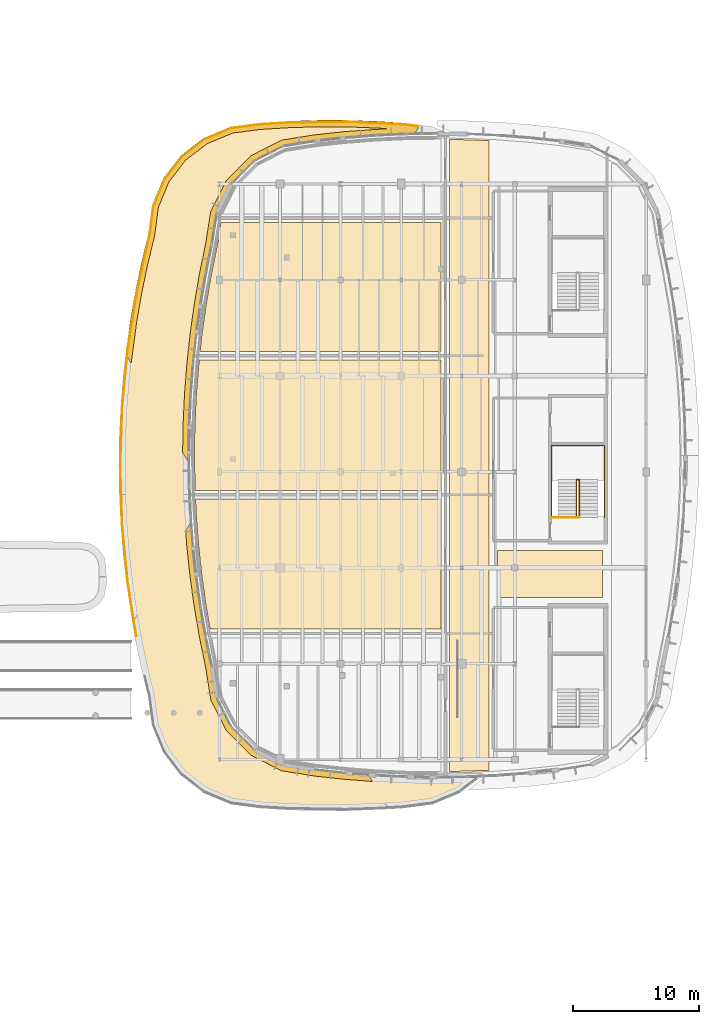
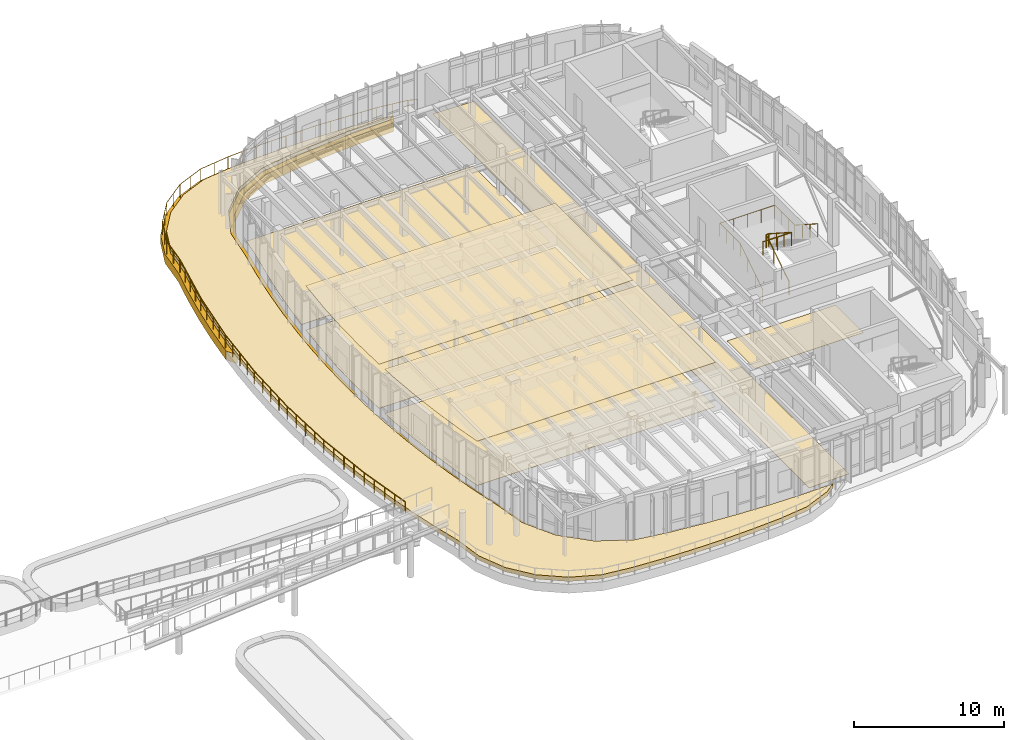
# One storey, part 109 of 111: 10 coverings, 4 railings.
"""IFC4 building model written with IfcOpenShell, lengths in metres."""

from ifc_helpers import new_model, si_unit, direction, frame, origin, origin_2d, place, context, subcontext, project, spatial, polyline, circle, outline, extrude, material, layer, layer_set, type_object, element, save


model = new_model("IFC4")

# Units and contexts
model_context = context("Model", 3, precision=1e-05, world=origin(), true_north=direction((0.0, 1.0)))
body_context = subcontext(model_context, "Body", "Model", "MODEL_VIEW")
ifc_project = project(units=[si_unit("LENGTHUNIT", "METRE"), si_unit("AREAUNIT", "SQUARE_METRE"), si_unit("VOLUMEUNIT", "CUBIC_METRE"), si_unit("PLANEANGLEUNIT", "RADIAN"), si_unit("MASSUNIT", "GRAM", prefix="KILO")], contexts=[model_context])

# Site, building, storey
site_placement = place(None, origin())
site = spatial("IfcSite", under=ifc_project, at=site_placement, CompositionType="ELEMENT")
building_placement = place(site_placement, origin())
building = spatial("IfcBuilding", under=site, at=building_placement, Name="Corveleigh Park Community Centre", CompositionType="ELEMENT")
storey_placement = place(building_placement, frame((0.0, 0.0, 4.800048828125)))
storey = spatial("IfcBuildingStorey", under=building, at=storey_placement, Name="L01", CompositionType="ELEMENT", Elevation=4.800048828125)

# Coverings
ifc_material_1 = material(Name="White architectural fascia cladding", Category="masonry")
ifc_layer_1 = layer(ifc_material_1, 0.074951171875, Name="White architectural fascia cladding", Category="masonry")
ifc_layer_set_1 = layer_set([ifc_layer_1], Name="White architectural fascia cladding")
covering_type_1 = type_object("IfcCoveringType", Name="COV-CLD-WHT", PredefinedType="CLADDING", material=ifc_layer_set_1)
covering_1_placement = place(storey_placement, frame((0.0, 0.0, -0.679931640625)))
element("IfcCovering", 1, at=covering_1_placement, inside=storey, type_object=covering_type_1, Name="Step 1 Learning Garden Terrace Sweeping White Edge Band 2", PredefinedType="CLADDING", context=body_context, shape_type="SweptSolid", body=[
    extrude(outline(polyline([(127.175048828125, 90.760009765625), (127.544921875, 93.4189453125), (127.945068359375, 95.697021484375), (128.4169921875, 97.9609375), (128.9609375, 100.20703125), (129.262939453125, 102.492919921875), (130.14697265625, 104.6240234375), (131.544921875, 106.447021484375), (133.3759765625, 107.85302734375), (135.51708984375, 108.739990234375), (137.794921875, 109.0400390625), (140.075927734375, 109.179931640625), (142.35791015625, 109.2509765625), (144.64208984375, 109.2509765625), (146.924072265625, 109.179931640625), (149.201904296875, 109.0400390625), (150.468017578125, 108.873046875), (150.0439453125, 108.138916015625), (147.01708984375, 108.02197265625), (144.60693359375, 107.8359375), (142.202880859375, 107.574951171875), (139.675048828125, 107.174072265625), (137.39599609375, 106.013916015625), (135.5869140625, 104.205078125), (134.426025390625, 101.925048828125), (134.02490234375, 99.39697265625), (133.54296875, 97.0400390625), (133.135986328125, 94.672119140625), (132.802001953125, 92.2900390625), (132.5419921875, 89.89990234375), (132.35595703125, 87.5048828125), (132.243896484375, 85.10400390625), (132.218017578125, 82.01708984375), (131.68994140625, 82.930908203125), (131.72509765625, 85.126953125), (131.8369140625, 87.5439453125), (132.02490234375, 89.9560546875), (132.287109375, 92.362060546875), (132.623046875, 94.759033203125), (133.031005859375, 97.1279296875), (133.512939453125, 99.489013671875), (133.9130859375, 102.012939453125), (135.1259765625, 104.447021484375), (137.090087890625, 106.43505859375), (139.513916015625, 107.669921875), (142.123046875, 108.089111328125), (144.551025390625, 108.35302734375), (148.04296875, 108.590087890625), (144.634033203125, 108.73095703125), (142.365966796875, 108.73095703125), (140.10009765625, 108.659912109375), (137.845947265625, 108.52197265625), (135.64697265625, 108.23193359375), (133.64208984375, 107.402099609375), (131.9189453125, 106.0810546875), (130.597900390625, 104.35791015625), (129.76806640625, 102.35302734375), (129.467041015625, 100.0869140625), (128.924072265625, 97.847900390625), (128.455078125, 95.597900390625), (128.05810546875, 93.3359375), (127.614013671875, 90.0), (127.175048828125, 90.760009765625)])), origin(), (0.0, 0.0, 1.0), 0.719970703125),
])
covering_2_placement = place(storey_placement, frame((0.0, 0.0, -0.679931640625)))
element("IfcCovering", 2, at=covering_2_placement, inside=storey, type_object=covering_type_1, Name="Step 1 Learning Garden Terrace Sweeping White Edge Band 8", PredefinedType="CLADDING", context=body_context, shape_type="SweptSolid", body=[
    extrude(outline(polyline([(132.5419921875, 75.5), (132.802001953125, 73.110107421875), (133.135986328125, 70.72900390625), (133.54296875, 68.360107421875), (134.02490234375, 66.0029296875), (134.426025390625, 63.47509765625), (135.5869140625, 61.195068359375), (137.39599609375, 59.385986328125), (139.677001953125, 58.22509765625), (142.202880859375, 57.824951171875), (144.60693359375, 57.56396484375), (146.39892578125, 57.426025390625), (146.714111328125, 56.8798828125), (144.551025390625, 57.047119140625), (142.14599609375, 57.30810546875), (139.51611328125, 57.72900390625), (137.090087890625, 58.965087890625), (135.166015625, 60.888916015625), (133.929931640625, 63.31396484375), (133.512939453125, 65.910888671875), (133.031005859375, 68.27197265625), (132.623046875, 70.64208984375), (132.284912109375, 73.052978515625), (132.02490234375, 75.444091796875), (131.926025390625, 76.718994140625), (132.385009765625, 77.51708984375), (132.5419921875, 75.5)])), origin(), (0.0, 0.0, 1.0), 0.719970703125),
])
ifc_material_2 = material(Name="Perforated acoustic suspended ceiling", Category="gypsum")
ifc_layer_2 = layer(ifc_material_2, 0.0400390625, Name="Perforated acoustic suspended ceiling", Category="gypsum")
ifc_layer_set_2 = layer_set([ifc_layer_2], Name="Perforated acoustic suspended ceiling")
covering_type_2 = type_object("IfcCoveringType", Name="COV-CLG-ACU", PredefinedType="CEILING", material=ifc_layer_set_2)
covering_3_placement = place(storey_placement, frame((0.0, 0.0, 3.579833984375)))
element("IfcCovering", 3, at=covering_3_placement, inside=storey, type_object=covering_type_2, Name="Adult Learning Classroom 2 acoustic ceiling", PredefinedType="CEILING", context=body_context, shape_type="SweptSolid", body=[
    extrude(outline(polyline([(132.77001953125, 77.9208984375), (132.7080078125, 79.260009765625), (152.159912109375, 79.260009765625), (152.159912109375, 68.93994140625), (133.864990234375, 68.93994140625), (133.5458984375, 70.79296875), (133.214111328125, 73.160888671875), (132.955078125, 75.5380859375), (132.77001953125, 77.9208984375)])), origin(), (0.0, 0.0, 1.0), 0.0400390625),
])
covering_4_placement = place(storey_placement, frame((0.0, 0.0, 3.579833984375)))
element("IfcCovering", 4, at=covering_4_placement, inside=storey, type_object=covering_type_2, Name="Digital Inclusion Classroom 3 acoustic ceiling", PredefinedType="CEILING", context=body_context, shape_type="SweptSolid", body=[
    extrude(outline(polyline([(132.658935546875, 85.090087890625), (132.77001953125, 87.47900390625), (132.998046875, 90.260009765625), (152.159912109375, 90.260009765625), (152.159912109375, 79.93994140625), (132.676025390625, 79.93994140625), (132.6220703125, 82.699951171875), (132.658935546875, 85.090087890625)])), origin(), (0.0, 0.0, 1.0), 0.0400390625),
])
ifc_material_3 = material(Name="Acoustic linoleum flooring", Category="wood")
ifc_layer_3 = layer(ifc_material_3, 0.02490234375, Name="Acoustic linoleum flooring", Category="wood")
ifc_layer_set_3 = layer_set([ifc_layer_3], Name="Acoustic linoleum flooring")
covering_type_3 = type_object("IfcCoveringType", Name="COV-FLR-LIN", PredefinedType="FLOORING", material=ifc_layer_set_3)
covering_5_placement = place(storey_placement, origin())
element("IfcCovering", 5, at=covering_5_placement, inside=storey, type_object=covering_type_3, Name="First Floor Learning Concourse flooring", PredefinedType="FLOORING", context=body_context, shape_type="SweptSolid", body=[
    extrude(outline(polyline([(152.840087890625, 57.658935546875), (152.840087890625, 107.740966796875), (155.9599609375, 107.639892578125), (155.9599609375, 57.760009765625), (152.840087890625, 57.658935546875)])), origin(), (0.0, 0.0, 1.0), 0.02490234375),
])
covering_6_placement = place(storey_placement, origin())
element("IfcCovering", 6, at=covering_6_placement, inside=storey, type_object=covering_type_3, Name="First Floor East Park Link flooring", PredefinedType="FLOORING", context=body_context, shape_type="SweptSolid", body=[
    extrude(outline(polyline([(164.9599609375, 71.43994140625), (156.639892578125, 71.43994140625), (156.639892578125, 75.159912109375), (164.9599609375, 75.159912109375), (164.9599609375, 71.43994140625)])), origin(), (0.0, 0.0, 1.0), 0.02490234375),
])
covering_7_placement = place(storey_placement, origin())
element("IfcCovering", 7, at=covering_7_placement, inside=storey, type_object=covering_type_3, Name="Adult Learning Classroom 2 flooring", PredefinedType="FLOORING", context=body_context, shape_type="SweptSolid", body=[
    extrude(outline(polyline([(132.77001953125, 77.9208984375), (132.7080078125, 79.260009765625), (152.159912109375, 79.260009765625), (152.159912109375, 68.93994140625), (133.864990234375, 68.93994140625), (133.5458984375, 70.79296875), (133.214111328125, 73.160888671875), (132.955078125, 75.5380859375), (132.77001953125, 77.9208984375)])), origin(), (0.0, 0.0, 1.0), 0.02490234375),
])
covering_8_placement = place(storey_placement, origin())
element("IfcCovering", 8, at=covering_8_placement, inside=storey, type_object=covering_type_3, Name="Digital Inclusion Classroom 3 flooring", PredefinedType="FLOORING", context=body_context, shape_type="SweptSolid", body=[
    extrude(outline(polyline([(132.658935546875, 85.090087890625), (132.77001953125, 87.47900390625), (132.998046875, 90.260009765625), (152.159912109375, 90.260009765625), (152.159912109375, 79.93994140625), (132.676025390625, 79.93994140625), (132.6220703125, 82.699951171875), (132.658935546875, 85.090087890625)])), origin(), (0.0, 0.0, 1.0), 0.02490234375),
])
covering_9_placement = place(storey_placement, origin())
element("IfcCovering", 9, at=covering_9_placement, inside=storey, type_object=covering_type_3, Name="ESOL Seminar Suite and Workroom flooring", PredefinedType="FLOORING", context=body_context, shape_type="SweptSolid", body=[
    extrude(outline(polyline([(133.214111328125, 92.239013671875), (133.5458984375, 94.60693359375), (133.950927734375, 96.962890625), (134.43408203125, 99.325927734375), (134.72412109375, 101.159912109375), (152.159912109375, 101.159912109375), (152.159912109375, 90.93994140625), (133.072021484375, 90.93994140625), (133.214111328125, 92.239013671875)])), origin(), (0.0, 0.0, 1.0), 0.02490234375),
])
ifc_material_4 = material(Name="Extensive sedum roof build-up", Category="masonry")
ifc_layer_4 = layer(ifc_material_4, 0.35009765625, Name="Extensive sedum roof build-up", Category="masonry")
ifc_layer_set_4 = layer_set([ifc_layer_4], Name="Extensive sedum roof build-up")
covering_type_4 = type_object("IfcCoveringType", Name="COV-ROF-GRN", PredefinedType="ROOFING", material=ifc_layer_set_4)
covering_10_placement = place(storey_placement, origin())
element("IfcCovering", 10, at=covering_10_placement, inside=storey, type_object=covering_type_4, Name="Step 1 Learning Garden Terrace sedum build-up", PredefinedType="ROOFING", context=body_context, shape_type="SweptSolid", body=[
    extrude(outline(polyline([(150.096923828125, 108.529052734375), (146.9990234375, 108.412109375), (144.56494140625, 108.22412109375), (142.14306640625, 107.9609375), (139.571044921875, 107.551025390625), (137.152099609375, 106.319091796875), (135.241943359375, 104.387939453125), (134.049072265625, 102.029052734375), (133.64111328125, 99.465087890625), (133.158935546875, 97.10595703125), (132.7509765625, 94.737060546875), (132.4150390625, 92.343994140625), (132.154052734375, 89.94189453125), (131.967041015625, 87.533935546875), (131.85400390625, 85.12109375), (131.81689453125, 82.705078125), (131.85400390625, 80.280029296875), (131.966064453125, 77.876953125), (132.153076171875, 75.468994140625), (132.4150390625, 73.055908203125), (132.7509765625, 70.6640625), (133.158935546875, 68.2939453125), (133.64111328125, 65.93505859375), (134.049072265625, 63.37109375), (135.260009765625, 60.97998046875), (137.152099609375, 59.0810546875), (139.5390625, 57.85888671875), (142.159912109375, 57.43701171875), (144.575927734375, 57.175048828125), (146.988037109375, 56.989013671875), (149.4150390625, 56.8759765625), (151.844970703125, 56.839111328125), (154.221923828125, 56.89697265625), (153.424072265625, 56.284912109375), (151.386962890625, 55.44091796875), (149.166015625, 55.14892578125), (146.906005859375, 55.010009765625), (144.635986328125, 54.93896484375), (142.364013671875, 54.93896484375), (140.093994140625, 55.010009765625), (137.833984375, 55.14892578125), (135.613037109375, 55.44091796875), (133.575927734375, 56.284912109375), (131.826904296875, 57.626953125), (130.485107421875, 59.3759765625), (129.64111328125, 61.4130859375), (129.346923828125, 63.64599609375), (128.797119140625, 65.924072265625), (128.327880859375, 68.177001953125), (127.929931640625, 70.443115234375), (127.60302734375, 72.719970703125), (127.347900390625, 75.007080078125), (127.1669921875, 77.301025390625), (127.05810546875, 79.59912109375), (127.02099609375, 81.89990234375), (127.05810546875, 84.200927734375), (127.1669921875, 86.4990234375), (127.347900390625, 88.79296875), (127.60302734375, 91.080078125), (127.929931640625, 93.35693359375), (128.327880859375, 95.623046875), (128.797119140625, 97.8759765625), (129.340087890625, 100.117919921875), (129.64111328125, 102.386962890625), (130.485107421875, 104.424072265625), (131.826904296875, 106.173095703125), (133.575927734375, 107.514892578125), (135.613037109375, 108.35888671875), (137.833984375, 108.65087890625), (140.093994140625, 108.7900390625), (142.364013671875, 108.861083984375), (144.635986328125, 108.861083984375), (146.906005859375, 108.7900390625), (149.166015625, 108.65087890625), (150.096923828125, 108.529052734375)])), origin(), (0.0, 0.0, 1.0), 0.349853515625),
])

# Railings
ifc_material_5 = material(Name="Stainless steel 316 balustrade", Category="steel")
railing_type_1 = type_object("IfcRailingType", Name="RLG-BAL-EXT-1100", PredefinedType="BALUSTRADE", material=ifc_material_5)
railing_1_placement = place(storey_placement, frame((128.013916015625, 68.39990234375, 0.0)))
element("IfcRailing", 11, at=railing_1_placement, inside=storey, type_object=railing_type_1, Name="Step 1 Learning Garden Terrace guard 2", PredefinedType="BALUSTRADE", context=body_context, shape_type="SweptSolid", body=[
    extrude(circle(Radius=0.02392578125, at=origin_2d()), frame((0.0, 0.0, 1.076171875), z_axis=(-0.156456569726, 0.987684839303, 0.0), x_axis=(-0.987684839303, -0.156456569726, 0.0)), (0.0, 0.0, 1.0), 4.339599609375),
    extrude(circle(Radius=0.02392578125, at=origin_2d()), frame((-0.678955078125, 4.2861328125, 1.076171875), z_axis=(-0.094619507413, 0.995513510113, 0.0), x_axis=(-0.995513510113, -0.094619507413, 0.0)), (0.0, 0.0, 1.0), 4.61865234375),
    extrude(circle(Radius=0.02392578125, at=origin_2d()), frame((-1.115966796875, 8.884033203125, 1.076171875), z_axis=(-0.031823931942, 0.999493490402, 0.0), x_axis=(-0.999493490402, -0.031823931942, 0.0)), (0.0, 0.0, 1.0), 4.618408203125),
    extrude(circle(Radius=0.02392578125, at=origin_2d()), frame((-1.262939453125, 13.5, 1.076171875), z_axis=(0.031822250553, 0.999493543936, 0.0), x_axis=(-0.999493543936, 0.031822250553, 0.0)), (0.0, 0.0, 1.0), 4.61865234375),
    extrude(circle(Radius=0.02392578125, at=origin_2d()), frame((-1.115966796875, 18.1162109375, 1.076171875), z_axis=(0.094619507413, 0.995513510113, 0.0), x_axis=(-0.995513510113, 0.094619507413, 0.0)), (0.0, 0.0, 1.0), 4.61865234375),
    extrude(circle(Radius=0.02392578125, at=origin_2d()), frame((-0.678955078125, 22.714111328125, 1.076171875), z_axis=(0.157656450049, 0.987494022138, 0.0), x_axis=(-0.987494022138, 0.157656450049, 0.0)), (0.0, 0.0, 1.0), 4.617919921875),
    extrude(circle(Radius=0.02392578125, at=origin_2d()), frame((0.049072265625, 27.274169921875, 1.076171875), z_axis=(0.21968824604, 0.975570127952, 0.0), x_axis=(-0.975570127952, 0.21968824604, 0.0)), (0.0, 0.0, 1.0), 4.61962890625),
    extrude(circle(Radius=0.02392578125, at=origin_2d()), frame((1.06396484375, 31.781005859375, 1.076171875), z_axis=(0.130693831673, 0.991422776802, 0.0), x_axis=(-0.991422776802, 0.130693831673, 0.0)), (0.0, 0.0, 1.0), 2.2958984375),
    extrude(circle(Radius=0.02392578125, at=origin_2d()), frame((1.364013671875, 34.05712890625, 1.076171875), z_axis=(0.382680170901, 0.923880883447, 0.0), x_axis=(-0.923880883447, 0.382680170901, 0.0)), (0.0, 0.0, 1.0), 2.2763671875),
    extrude(circle(Radius=0.02392578125, at=origin_2d()), frame((2.235107421875, 36.16015625, 1.076171875), z_axis=(0.608564407536, 0.793504481323, 0.0), x_axis=(-0.793504481323, 0.608564407536, 0.0)), (0.0, 0.0, 1.0), 2.27587890625),
    extrude(circle(Radius=0.02392578125, at=origin_2d()), frame((3.6201171875, 37.966064453125, 1.076171875), z_axis=(0.793504481323, 0.608564407536, 0.0), x_axis=(-0.608564407536, 0.793504481323, 0.0)), (0.0, 0.0, 1.0), 2.27587890625),
    extrude(circle(Radius=0.02392578125, at=origin_2d()), frame((5.426025390625, 39.35107421875, 1.076171875), z_axis=(0.923880883447, 0.382680170901, 0.0), x_axis=(-0.382680170901, 0.923880883447, 0.0)), (0.0, 0.0, 1.0), 2.2763671875),
    extrude(circle(Radius=0.02392578125, at=origin_2d()), frame((7.529052734375, 40.22216796875, 1.076171875), z_axis=(0.991465203778, 0.130371583165, 0.0), x_axis=(-0.130371583165, 0.991465203778, 0.0)), (0.0, 0.0, 1.0), 2.28466796875),
    extrude(circle(Radius=0.02392578125, at=origin_2d()), frame((9.794189453125, 40.52001953125, 1.076171875), z_axis=(0.998106408076, 0.061510959656, 0.0), x_axis=(-0.061510959656, 0.998106408076, 0.0)), (0.0, 0.0, 1.0), 2.2783203125),
    extrude(circle(Radius=0.02392578125, at=origin_2d()), frame((12.068115234375, 40.66015625, 1.076171875), z_axis=(0.999878539591, 0.015585444053, 0.0), x_axis=(-0.015585444053, 0.999878539591, 0.0)), (0.0, 0.0, 1.0), 4.558349609375),
    extrude(circle(Radius=0.02392578125, at=origin_2d()), frame((16.6259765625, 40.731201171875, 1.076171875), z_axis=(0.998925572593, -0.046343288833, 0.0), x_axis=(0.046343288833, 0.998925572593, 0.0)), (0.0, 0.0, 1.0), 4.556884765625),
    extrude(circle(Radius=0.02392578125, at=origin_2d()), frame((21.177978515625, 40.52001953125, 1.076171875), z_axis=(0.991465203778, -0.130371583165, 0.0), x_axis=(0.130371583165, 0.991465203778, 0.0)), (0.0, 0.0, 1.0), 2.28466796875),
    extrude(circle(Radius=0.02392578125, at=origin_2d()), frame((23.443115234375, 40.22216796875, 1.076171875), z_axis=(0.924071605055, -0.382219398685, 0.0), x_axis=(0.382219398685, 0.924071605055, 0.0)), (0.0, 0.0, 1.0), 0.651611328125),
    extrude(circle(Radius=0.02099609375, at=origin_2d()), origin(), (0.0, 0.0, 1.0), 1.052001953125),
    extrude(circle(Radius=0.02099609375, at=origin_2d()), frame((-0.169677734375, 1.071533203125, 0.0)), (0.0, 0.0, 1.0), 1.052001953125),
    extrude(circle(Radius=0.02099609375, at=origin_2d()), frame((-0.33935546875, 2.14306640625, 0.0)), (0.0, 0.0, 1.0), 1.052001953125),
    extrude(circle(Radius=0.02099609375, at=origin_2d()), frame((-0.50927734375, 3.214599609375, 0.0)), (0.0, 0.0, 1.0), 1.052001953125),
    extrude(circle(Radius=0.02099609375, at=origin_2d()), frame((-0.678955078125, 4.2861328125, 0.0)), (0.0, 0.0, 1.0), 1.052001953125),
    extrude(circle(Radius=0.02099609375, at=origin_2d()), frame((-0.7880859375, 5.435546875, 0.0)), (0.0, 0.0, 1.0), 1.052001953125),
    extrude(circle(Radius=0.02099609375, at=origin_2d()), frame((-0.8974609375, 6.5849609375, 0.0)), (0.0, 0.0, 1.0), 1.052001953125),
    extrude(circle(Radius=0.02099609375, at=origin_2d()), frame((-1.0068359375, 7.734619140625, 0.0)), (0.0, 0.0, 1.0), 1.052001953125),
    extrude(circle(Radius=0.02099609375, at=origin_2d()), frame((-1.115966796875, 8.884033203125, 0.0)), (0.0, 0.0, 1.0), 1.052001953125),
    extrude(circle(Radius=0.02099609375, at=origin_2d()), frame((-1.15283203125, 10.0380859375, 0.0)), (0.0, 0.0, 1.0), 1.052001953125),
    extrude(circle(Radius=0.02099609375, at=origin_2d()), frame((-1.189453125, 11.19189453125, 0.0)), (0.0, 0.0, 1.0), 1.052001953125),
    extrude(circle(Radius=0.02099609375, at=origin_2d()), frame((-1.22607421875, 12.345947265625, 0.0)), (0.0, 0.0, 1.0), 1.052001953125),
    extrude(circle(Radius=0.02099609375, at=origin_2d()), frame((-1.262939453125, 13.5, 0.0)), (0.0, 0.0, 1.0), 1.052001953125),
    extrude(circle(Radius=0.02099609375, at=origin_2d()), frame((-1.22607421875, 14.654052734375, 0.0)), (0.0, 0.0, 1.0), 1.052001953125),
    extrude(circle(Radius=0.02099609375, at=origin_2d()), frame((-1.189453125, 15.80810546875, 0.0)), (0.0, 0.0, 1.0), 1.052001953125),
    extrude(circle(Radius=0.02099609375, at=origin_2d()), frame((-1.15283203125, 16.962158203125, 0.0)), (0.0, 0.0, 1.0), 1.052001953125),
    extrude(circle(Radius=0.02099609375, at=origin_2d()), frame((-1.115966796875, 18.1162109375, 0.0)), (0.0, 0.0, 1.0), 1.052001953125),
    extrude(circle(Radius=0.02099609375, at=origin_2d()), frame((-1.0068359375, 19.265625, 0.0)), (0.0, 0.0, 1.0), 1.052001953125),
    extrude(circle(Radius=0.02099609375, at=origin_2d()), frame((-0.8974609375, 20.4150390625, 0.0)), (0.0, 0.0, 1.0), 1.052001953125),
    extrude(circle(Radius=0.02099609375, at=origin_2d()), frame((-0.7880859375, 21.564697265625, 0.0)), (0.0, 0.0, 1.0), 1.052001953125),
    extrude(circle(Radius=0.02099609375, at=origin_2d()), frame((-0.678955078125, 22.714111328125, 0.0)), (0.0, 0.0, 1.0), 1.052001953125),
    extrude(circle(Radius=0.02099609375, at=origin_2d()), frame((-0.4970703125, 23.85400390625, 0.0)), (0.0, 0.0, 1.0), 1.052001953125),
    extrude(circle(Radius=0.02099609375, at=origin_2d()), frame((-0.31494140625, 24.994140625, 0.0)), (0.0, 0.0, 1.0), 1.052001953125),
    extrude(circle(Radius=0.02099609375, at=origin_2d()), frame((-0.1328125, 26.13427734375, 0.0)), (0.0, 0.0, 1.0), 1.052001953125),
    extrude(circle(Radius=0.02099609375, at=origin_2d()), frame((0.049072265625, 27.274169921875, 0.0)), (0.0, 0.0, 1.0), 1.052001953125),
    extrude(circle(Radius=0.02099609375, at=origin_2d()), frame((0.302734375, 28.40087890625, 0.0)), (0.0, 0.0, 1.0), 1.052001953125),
    extrude(circle(Radius=0.02099609375, at=origin_2d()), frame((0.556640625, 29.527587890625, 0.0)), (0.0, 0.0, 1.0), 1.052001953125),
    extrude(circle(Radius=0.02099609375, at=origin_2d()), frame((0.810302734375, 30.654296875, 0.0)), (0.0, 0.0, 1.0), 1.052001953125),
    extrude(circle(Radius=0.02099609375, at=origin_2d()), frame((1.06396484375, 31.781005859375, 0.0)), (0.0, 0.0, 1.0), 1.052001953125),
    extrude(circle(Radius=0.02099609375, at=origin_2d()), frame((1.2138671875, 32.9189453125, 0.0)), (0.0, 0.0, 1.0), 1.052001953125),
    extrude(circle(Radius=0.02099609375, at=origin_2d()), frame((1.364013671875, 34.05712890625, 0.0)), (0.0, 0.0, 1.0), 1.052001953125),
    extrude(circle(Radius=0.02099609375, at=origin_2d()), frame((1.799560546875, 35.108642578125, 0.0)), (0.0, 0.0, 1.0), 1.052001953125),
    extrude(circle(Radius=0.02099609375, at=origin_2d()), frame((2.235107421875, 36.16015625, 0.0)), (0.0, 0.0, 1.0), 1.052001953125),
    extrude(circle(Radius=0.02099609375, at=origin_2d()), frame((2.927734375, 37.06298828125, 0.0)), (0.0, 0.0, 1.0), 1.052001953125),
    extrude(circle(Radius=0.02099609375, at=origin_2d()), frame((3.6201171875, 37.966064453125, 0.0)), (0.0, 0.0, 1.0), 1.052001953125),
    extrude(circle(Radius=0.02099609375, at=origin_2d()), frame((4.52294921875, 38.65869140625, 0.0)), (0.0, 0.0, 1.0), 1.052001953125),
    extrude(circle(Radius=0.02099609375, at=origin_2d()), frame((5.426025390625, 39.35107421875, 0.0)), (0.0, 0.0, 1.0), 1.052001953125),
    extrude(circle(Radius=0.02099609375, at=origin_2d()), frame((6.4775390625, 39.78662109375, 0.0)), (0.0, 0.0, 1.0), 1.052001953125),
    extrude(circle(Radius=0.02099609375, at=origin_2d()), frame((7.529052734375, 40.22216796875, 0.0)), (0.0, 0.0, 1.0), 1.052001953125),
    extrude(circle(Radius=0.02099609375, at=origin_2d()), frame((8.66162109375, 40.37109375, 0.0)), (0.0, 0.0, 1.0), 1.052001953125),
    extrude(circle(Radius=0.02099609375, at=origin_2d()), frame((9.794189453125, 40.52001953125, 0.0)), (0.0, 0.0, 1.0), 1.052001953125),
    extrude(circle(Radius=0.02099609375, at=origin_2d()), frame((10.93115234375, 40.590087890625, 0.0)), (0.0, 0.0, 1.0), 1.052001953125),
    extrude(circle(Radius=0.02099609375, at=origin_2d()), frame((12.068115234375, 40.66015625, 0.0)), (0.0, 0.0, 1.0), 1.052001953125),
    extrude(circle(Radius=0.02099609375, at=origin_2d()), frame((13.20751953125, 40.677978515625, 0.0)), (0.0, 0.0, 1.0), 1.052001953125),
    extrude(circle(Radius=0.02099609375, at=origin_2d()), frame((14.34716796875, 40.69580078125, 0.0)), (0.0, 0.0, 1.0), 1.052001953125),
    extrude(circle(Radius=0.02099609375, at=origin_2d()), frame((15.486572265625, 40.71337890625, 0.0)), (0.0, 0.0, 1.0), 1.052001953125),
    extrude(circle(Radius=0.02099609375, at=origin_2d()), frame((16.6259765625, 40.731201171875, 0.0)), (0.0, 0.0, 1.0), 1.052001953125),
    extrude(circle(Radius=0.02099609375, at=origin_2d()), frame((17.763916015625, 40.678466796875, 0.0)), (0.0, 0.0, 1.0), 1.052001953125),
    extrude(circle(Radius=0.02099609375, at=origin_2d()), frame((18.90185546875, 40.62548828125, 0.0)), (0.0, 0.0, 1.0), 1.052001953125),
    extrude(circle(Radius=0.02099609375, at=origin_2d()), frame((20.0400390625, 40.57275390625, 0.0)), (0.0, 0.0, 1.0), 1.052001953125),
    extrude(circle(Radius=0.02099609375, at=origin_2d()), frame((21.177978515625, 40.52001953125, 0.0)), (0.0, 0.0, 1.0), 1.052001953125),
    extrude(circle(Radius=0.02099609375, at=origin_2d()), frame((22.310546875, 40.37109375, 0.0)), (0.0, 0.0, 1.0), 1.052001953125),
    extrude(circle(Radius=0.02099609375, at=origin_2d()), frame((23.443115234375, 40.22216796875, 0.0)), (0.0, 0.0, 1.0), 1.052001953125),
    extrude(circle(Radius=0.02099609375, at=origin_2d()), frame((24.045166015625, 39.97314453125, 0.0)), (0.0, 0.0, 1.0), 1.052001953125),
])
railing_type_2 = type_object("IfcRailingType", Name="RLG-BAL-INT-1100", PredefinedType="BALUSTRADE", material=ifc_material_5)
railing_2_placement = place(storey_placement, frame((162.89990234375, 77.780029296875, 0.0)))
element("IfcRailing", 12, at=railing_2_placement, inside=storey, type_object=railing_type_2, Name="Stair ST6 inner guard L01", PredefinedType="BALUSTRADE", context=body_context, shape_type="SweptSolid", body=[
    extrude(circle(Radius=0.02392578125, at=origin_2d()), frame((0.0, 0.0, 1.076171875), z_axis=(0.0, 0.840498953926, 0.541813167475), x_axis=(-1.0, 0.0, 0.0)), (0.0, 0.0, 1.0), 3.598876953125),
    extrude(circle(Radius=0.02392578125, at=origin_2d()), frame((0.0, 3.02490234375, 3.02587890625), z_axis=(1.0, 0.0, 0.0), x_axis=(0.0, 1.0, 0.0)), (0.0, 0.0, 1.0), 0.2001953125),
    extrude(circle(Radius=0.02392578125, at=origin_2d()), frame((0.2001953125, 3.02490234375, 3.02587890625), z_axis=(0.0, -0.840498953926, 0.541813167475), x_axis=(1.0, 0.0, 0.0)), (0.0, 0.0, 1.0), 3.598876953125),
    extrude(circle(Radius=0.02099609375, at=origin_2d()), origin(), (0.0, 0.0, 1.0), 1.052001953125),
    extrude(circle(Radius=0.02099609375, at=origin_2d()), frame((0.0, 1.00830078125, 0.64990234375)), (0.0, 0.0, 1.0), 1.052001953125),
    extrude(circle(Radius=0.02099609375, at=origin_2d()), frame((0.0, 2.0166015625, 1.300048828125)), (0.0, 0.0, 1.0), 1.052001953125),
    extrude(circle(Radius=0.02099609375, at=origin_2d()), frame((0.0, 3.02490234375, 1.949951171875)), (0.0, 0.0, 1.0), 1.052001953125),
    extrude(circle(Radius=0.02099609375, at=origin_2d()), frame((0.2001953125, 3.02490234375, 1.949951171875)), (0.0, 0.0, 1.0), 1.052001953125),
    extrude(circle(Radius=0.02099609375, at=origin_2d()), frame((0.2001953125, 2.0166015625, 2.599853515625)), (0.0, 0.0, 1.0), 1.052001953125),
    extrude(circle(Radius=0.02099609375, at=origin_2d()), frame((0.2001953125, 1.00830078125, 3.25)), (0.0, 0.0, 1.0), 1.052001953125),
    extrude(circle(Radius=0.02099609375, at=origin_2d()), frame((0.2001953125, 0.0, 3.89990234375)), (0.0, 0.0, 1.0), 1.052001953125),
])
railing_3_placement = place(storey_placement, frame((160.9169921875, 77.780029296875, 3.89990234375)))
element("IfcRailing", 13, at=railing_3_placement, inside=storey, type_object=railing_type_2, Name="Stair ST6 landing guard L01", PredefinedType="BALUSTRADE", context=body_context, shape_type="SweptSolid", body=[
    extrude(circle(Radius=0.02392578125, at=origin_2d()), frame((0.0, 0.0, 1.076171875), z_axis=(1.0, 0.0, 0.0), x_axis=(0.0, 1.0, 0.0)), (0.0, 0.0, 1.0), 2.18310546875),
    extrude(circle(Radius=0.02099609375, at=origin_2d()), origin(), (0.0, 0.0, 1.0), 1.052001953125),
    extrude(circle(Radius=0.02099609375, at=origin_2d()), frame((1.091552734375, 0.0, 0.0)), (0.0, 0.0, 1.0), 1.052001953125),
    extrude(circle(Radius=0.02099609375, at=origin_2d()), frame((2.18310546875, 0.0, 0.0)), (0.0, 0.0, 1.0), 1.052001953125),
])
railing_4_placement = place(storey_placement, frame((160.89697265625, 77.780029296875, 0.0)))
element("IfcRailing", 14, at=railing_4_placement, inside=storey, type_object=railing_type_2, Name="Stair ST6 perimeter guard L01", PredefinedType="BALUSTRADE", context=body_context, shape_type="SweptSolid", body=[
    extrude(circle(Radius=0.02392578125, at=origin_2d()), frame((0.0, 0.0, 1.076171875), z_axis=(0.0, 0.840498953926, 0.541813167475), x_axis=(-1.0, 0.0, 0.0)), (0.0, 0.0, 1.0), 3.598876953125),
    extrude(circle(Radius=0.02392578125, at=origin_2d()), frame((0.0, 3.02490234375, 3.02587890625), z_axis=(0.0, 1.0, 0.0), x_axis=(-1.0, 0.0, 0.0)), (0.0, 0.0, 1.0), 2.68798828125),
    extrude(circle(Radius=0.02392578125, at=origin_2d()), frame((0.0, 5.712890625, 3.02587890625), z_axis=(1.0, 0.0, 0.0), x_axis=(0.0, 1.0, 0.0)), (0.0, 0.0, 1.0), 4.2060546875),
    extrude(circle(Radius=0.02392578125, at=origin_2d()), frame((4.2060546875, 5.712890625, 3.02587890625), z_axis=(0.0, -1.0, 0.0), x_axis=(1.0, 0.0, 0.0)), (0.0, 0.0, 1.0), 2.68798828125),
    extrude(circle(Radius=0.02392578125, at=origin_2d()), frame((4.2060546875, 3.02490234375, 3.02587890625), z_axis=(0.0, -0.840498953926, 0.541813167475), x_axis=(1.0, 0.0, 0.0)), (0.0, 0.0, 1.0), 3.598876953125),
    extrude(circle(Radius=0.02099609375, at=origin_2d()), origin(), (0.0, 0.0, 1.0), 1.052001953125),
    extrude(circle(Radius=0.02099609375, at=origin_2d()), frame((0.0, 1.00830078125, 0.64990234375)), (0.0, 0.0, 1.0), 1.052001953125),
    extrude(circle(Radius=0.02099609375, at=origin_2d()), frame((0.0, 2.0166015625, 1.300048828125)), (0.0, 0.0, 1.0), 1.052001953125),
    extrude(circle(Radius=0.02099609375, at=origin_2d()), frame((0.0, 3.02490234375, 1.949951171875)), (0.0, 0.0, 1.0), 1.052001953125),
    extrude(circle(Radius=0.02099609375, at=origin_2d()), frame((0.0, 3.9208984375, 1.949951171875)), (0.0, 0.0, 1.0), 1.052001953125),
    extrude(circle(Radius=0.02099609375, at=origin_2d()), frame((0.0, 4.81689453125, 1.949951171875)), (0.0, 0.0, 1.0), 1.052001953125),
    extrude(circle(Radius=0.02099609375, at=origin_2d()), frame((0.0, 5.712890625, 1.949951171875)), (0.0, 0.0, 1.0), 1.052001953125),
    extrude(circle(Radius=0.02099609375, at=origin_2d()), frame((1.051513671875, 5.712890625, 1.949951171875)), (0.0, 0.0, 1.0), 1.052001953125),
    extrude(circle(Radius=0.02099609375, at=origin_2d()), frame((2.10302734375, 5.712890625, 1.949951171875)), (0.0, 0.0, 1.0), 1.052001953125),
    extrude(circle(Radius=0.02099609375, at=origin_2d()), frame((3.154541015625, 5.712890625, 1.949951171875)), (0.0, 0.0, 1.0), 1.052001953125),
    extrude(circle(Radius=0.02099609375, at=origin_2d()), frame((4.2060546875, 5.712890625, 1.949951171875)), (0.0, 0.0, 1.0), 1.052001953125),
    extrude(circle(Radius=0.02099609375, at=origin_2d()), frame((4.2060546875, 4.81689453125, 1.949951171875)), (0.0, 0.0, 1.0), 1.052001953125),
    extrude(circle(Radius=0.02099609375, at=origin_2d()), frame((4.2060546875, 3.9208984375, 1.949951171875)), (0.0, 0.0, 1.0), 1.052001953125),
    extrude(circle(Radius=0.02099609375, at=origin_2d()), frame((4.2060546875, 3.02490234375, 1.949951171875)), (0.0, 0.0, 1.0), 1.052001953125),
    extrude(circle(Radius=0.02099609375, at=origin_2d()), frame((4.2060546875, 2.0166015625, 2.599853515625)), (0.0, 0.0, 1.0), 1.052001953125),
    extrude(circle(Radius=0.02099609375, at=origin_2d()), frame((4.2060546875, 1.00830078125, 3.25)), (0.0, 0.0, 1.0), 1.052001953125),
    extrude(circle(Radius=0.02099609375, at=origin_2d()), frame((4.2060546875, 0.0, 3.89990234375)), (0.0, 0.0, 1.0), 1.052001953125),
])

save(model, "model.ifc")
